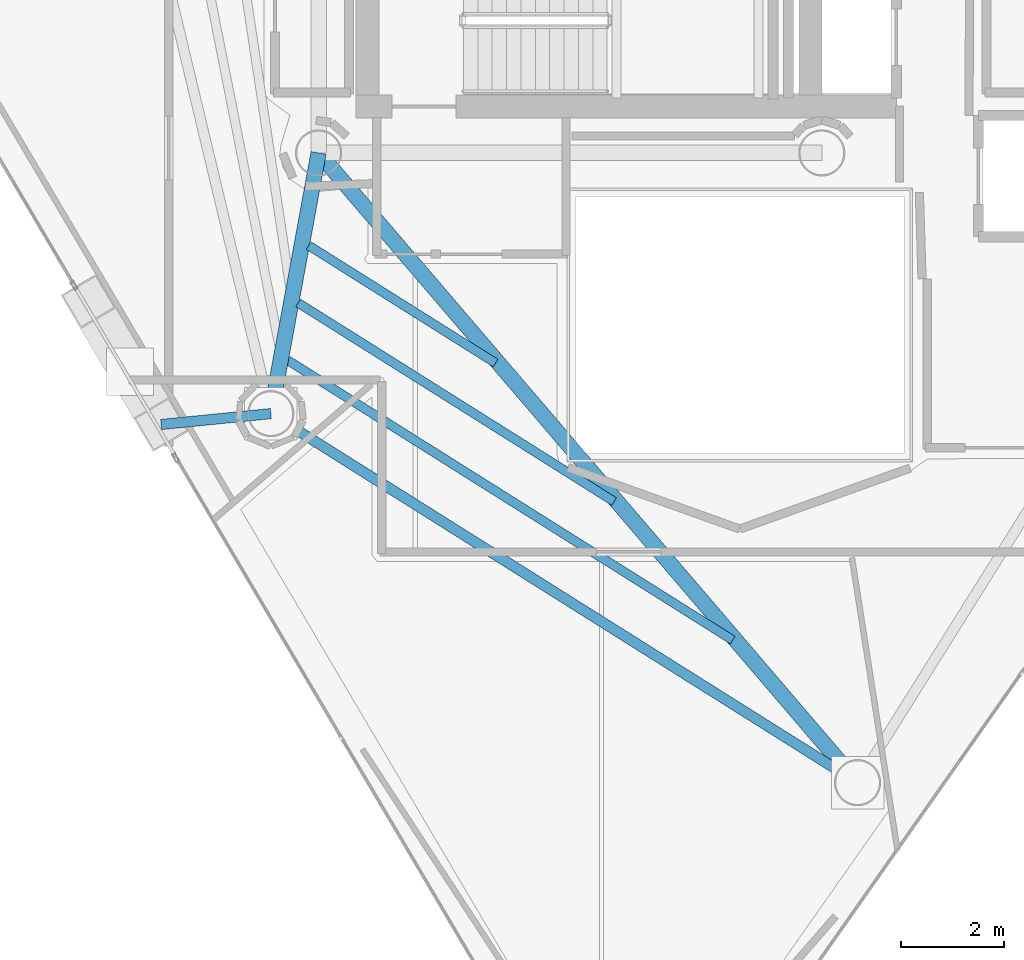
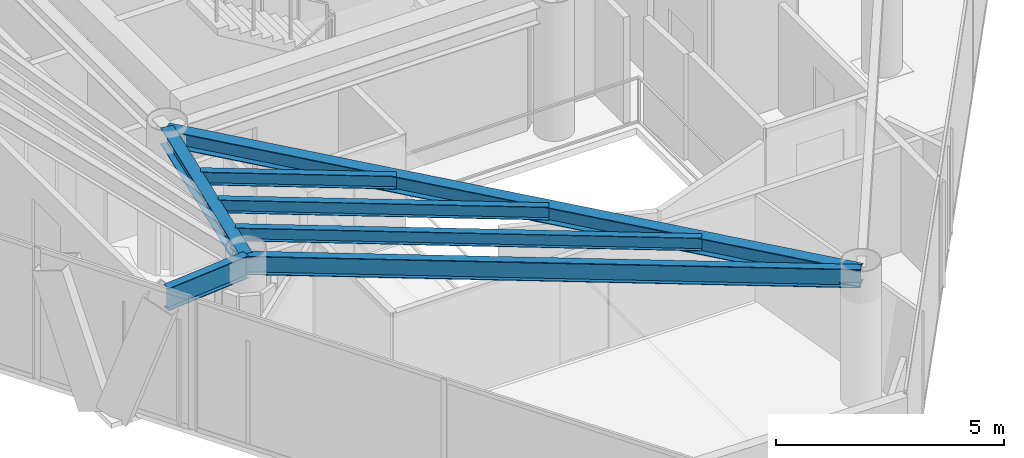
# One storey, part 4 of 19: 7 beams.
"""IFC4 building model written with IfcOpenShell, lengths in metres."""

from ifc_helpers import new_model, si_unit, direction, frame, origin, origin_2d, place, context, subcontext, project, spatial, i_section, extrude, material, material_profile, profile_set, type_object, element, save


model = new_model("IFC4")

# Units and contexts
model_context = context("Model", 3, precision=1e-05, world=origin(), true_north=direction((0.0, 1.0)))
body_context = subcontext(model_context, "Body", "Model", "MODEL_VIEW")
ifc_project = project(units=[si_unit("LENGTHUNIT", "METRE"), si_unit("AREAUNIT", "SQUARE_METRE"), si_unit("VOLUMEUNIT", "CUBIC_METRE"), si_unit("PLANEANGLEUNIT", "RADIAN"), si_unit("MASSUNIT", "GRAM", prefix="KILO")], contexts=[model_context])

# Site, building, storey
site_placement = place(None, origin())
site = spatial("IfcSite", under=ifc_project, at=site_placement, CompositionType="ELEMENT")
building_placement = place(site_placement, origin())
building = spatial("IfcBuilding", under=site, at=building_placement, Name="Qianvela Tower", CompositionType="ELEMENT")
storey_placement = place(building_placement, frame((0.0, 0.0, 280.60009765625)))
storey = spatial("IfcBuildingStorey", under=building, at=storey_placement, Name="L72", CompositionType="ELEMENT", Elevation=280.60009765625)

# Beams
ifc_material_1 = material(Name="Steel Q355B", Category="steel")
ifc_material_profile_1 = material_profile(ifc_material_1, i_section(OverallWidth=0.300048828125, OverallDepth=0.43994140625, WebThickness=0.010986328125, FlangeThickness=0.01806640625, at=origin_2d()), Name="HM440x300x11x18")
ifc_profile_set_1 = profile_set([ifc_material_profile_1], Name="Steel Q355B")
beam_type_1 = type_object("IfcBeamType", Name="BM-HM440-COLL", PredefinedType="BEAM", material=ifc_profile_set_1)
beam_1_placement = place(storey_placement, frame((28.60009765625, 23.85009765625, 3.2978515625), z_axis=(-0.180242432023, -0.983622216961, 0.0), x_axis=(0.983622216961, -0.180242432023, 0.0)))
element("IfcBeam", 1, at=beam_1_placement, inside=storey, type_object=beam_type_1, Name="L72 Radial Primary Floor Girder 4", PredefinedType="BEAM", context=body_context, shape_type="SweptSolid", body=[
    extrude(i_section(OverallWidth=0.300048828125, OverallDepth=0.43994140625, WebThickness=0.010986328125, FlangeThickness=0.01806640625, at=origin_2d()), origin(), (0.0, 0.0, 1.0), 5.16064453125),
])
beam_2_placement = place(storey_placement, frame((28.60009765625, 23.85009765625, 3.2978515625), z_axis=(0.650269293807, -0.75970378802, 0.0), x_axis=(0.75970378802, 0.650269293807, 0.0)))
element("IfcBeam", 2, at=beam_2_placement, inside=storey, type_object=beam_type_1, Name="L72 Radial Primary Floor Girder 5", PredefinedType="BEAM", context=body_context, shape_type="SweptSolid", body=[
    extrude(i_section(OverallWidth=0.300048828125, OverallDepth=0.43994140625, WebThickness=0.010986328125, FlangeThickness=0.01806640625, at=origin_2d()), origin(), (0.0, 0.0, 1.0), 16.140869140625),
])
ifc_material_2 = material(Name="Steel Q355B", Category="steel")
ifc_material_profile_2 = material_profile(ifc_material_2, i_section(OverallWidth=0.175048828125, OverallDepth=0.35009765625, WebThickness=0.007080078125, FlangeThickness=0.010986328125, at=origin_2d()), Name="HN350x175x7x11")
ifc_profile_set_2 = profile_set([ifc_material_profile_2], Name="Steel Q355B")
beam_type_2 = type_object("IfcBeamType", Name="BM-HN350-JOIST", PredefinedType="JOIST", material=ifc_profile_set_2)
beam_3_placement = place(storey_placement, frame((28.407470703125, 22.04638671875, 3.343017578125), z_axis=(0.846501223135, -0.532386775973, 0.0), x_axis=(0.532386775973, 0.846501223135, 0.0)))
element("IfcBeam", 3, at=beam_3_placement, inside=storey, type_object=beam_type_2, Name="L72 Secondary Composite Floor Joist 4.1", PredefinedType="JOIST", context=body_context, shape_type="SweptSolid", body=[
    extrude(i_section(OverallWidth=0.175048828125, OverallDepth=0.35009765625, WebThickness=0.007080078125, FlangeThickness=0.010986328125, at=origin_2d()), origin(), (0.0, 0.0, 1.0), 4.29736328125),
])
beam_4_placement = place(storey_placement, frame((28.202880859375, 20.9296875, 3.343017578125), z_axis=(0.846507641225, -0.532376570998, 0.0), x_axis=(0.532376570998, 0.846507641225, 0.0)))
element("IfcBeam", 4, at=beam_4_placement, inside=storey, type_object=beam_type_2, Name="L72 Secondary Composite Floor Joist 4.2", PredefinedType="JOIST", context=body_context, shape_type="SweptSolid", body=[
    extrude(i_section(OverallWidth=0.175048828125, OverallDepth=0.35009765625, WebThickness=0.007080078125, FlangeThickness=0.010986328125, at=origin_2d()), origin(), (0.0, 0.0, 1.0), 7.266845703125),
])
beam_5_placement = place(storey_placement, frame((27.998291015625, 19.81298828125, 3.343017578125), z_axis=(0.846499587038, -0.532389377377, 0.0), x_axis=(0.532389377377, 0.846499587038, 0.0)))
element("IfcBeam", 5, at=beam_5_placement, inside=storey, type_object=beam_type_2, Name="L72 Secondary Composite Floor Joist 4.3", PredefinedType="JOIST", context=body_context, shape_type="SweptSolid", body=[
    extrude(i_section(OverallWidth=0.175048828125, OverallDepth=0.35009765625, WebThickness=0.007080078125, FlangeThickness=0.010986328125, at=origin_2d()), origin(), (0.0, 0.0, 1.0), 10.236328125),
])
ifc_material_3 = material(Name="Steel Q355B", Category="steel")
ifc_material_profile_3 = material_profile(ifc_material_3, i_section(OverallWidth=0.199951171875, OverallDepth=0.5, WebThickness=0.010009765625, FlangeThickness=0.01611328125, at=origin_2d()), Name="HN500x200x10x16")
ifc_profile_set_3 = profile_set([ifc_material_profile_3], Name="Steel Q355B")
beam_type_3 = type_object("IfcBeamType", Name="BM-HN500-GIRD", PredefinedType="BEAM", material=ifc_profile_set_3)
beam_6_placement = place(storey_placement, frame((27.669921875, 18.77392578125, 3.267822265625), z_axis=(0.846504270846, -0.532381930046, 0.0), x_axis=(0.532381930046, 0.846504270846, 0.0)))
element("IfcBeam", 6, at=beam_6_placement, inside=storey, type_object=beam_type_3, Name="L72 Perimeter Ring Spandrel Girder 4", PredefinedType="BEAM", context=body_context, shape_type="SweptSolid", body=[
    extrude(i_section(OverallWidth=0.199951171875, OverallDepth=0.5, WebThickness=0.010009765625, FlangeThickness=0.01611328125, at=origin_2d()), origin(), (0.0, 0.0, 1.0), 13.497802734375),
])
ifc_material_4 = material(Name="Steel Q355B", Category="steel")
ifc_material_profile_4 = material_profile(ifc_material_4, i_section(OverallWidth=0.199951171875, OverallDepth=0.60009765625, WebThickness=0.010986328125, FlangeThickness=0.01708984375, at=origin_2d()), Name="HN600x200x11x17")
ifc_profile_set_4 = profile_set([ifc_material_profile_4], Name="Steel Q355B")
beam_type_4 = type_object("IfcBeamType", Name="BM-HN600-GIRD", PredefinedType="BEAM", material=ifc_profile_set_4)
beam_7_placement = place(storey_placement, frame((27.669921875, 18.77392578125, 3.218017578125), z_axis=(-0.995121235597, -0.098659649629, 0.0), x_axis=(0.098659649629, -0.995121235597, 0.0)))
element("IfcBeam", 7, at=beam_7_placement, inside=storey, type_object=beam_type_4, Name="L72 Mega-Brace Column Tie Bracket F2-2", PredefinedType="BEAM", context=body_context, shape_type="SweptSolid", body=[
    extrude(i_section(OverallWidth=0.199951171875, OverallDepth=0.60009765625, WebThickness=0.010986328125, FlangeThickness=0.01708984375, at=origin_2d()), origin(), (0.0, 0.0, 1.0), 2.14794921875),
])

save(model, "model.ifc")
